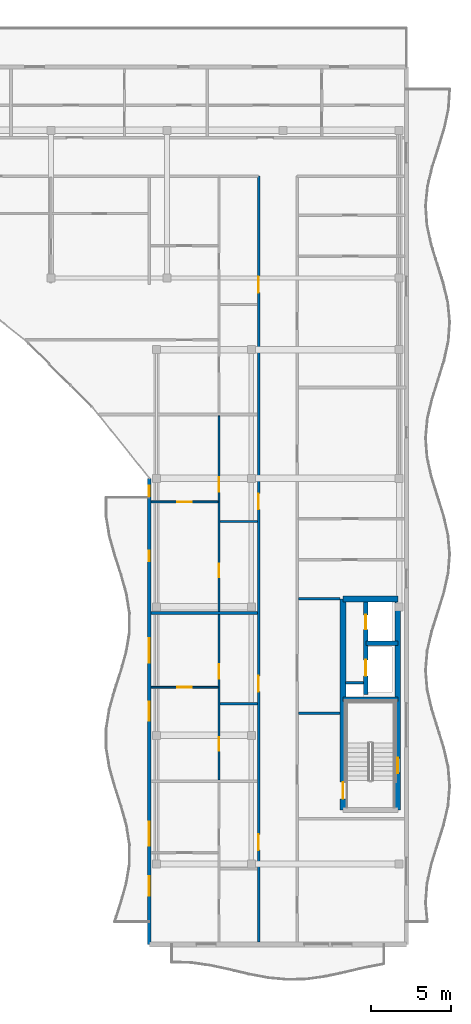
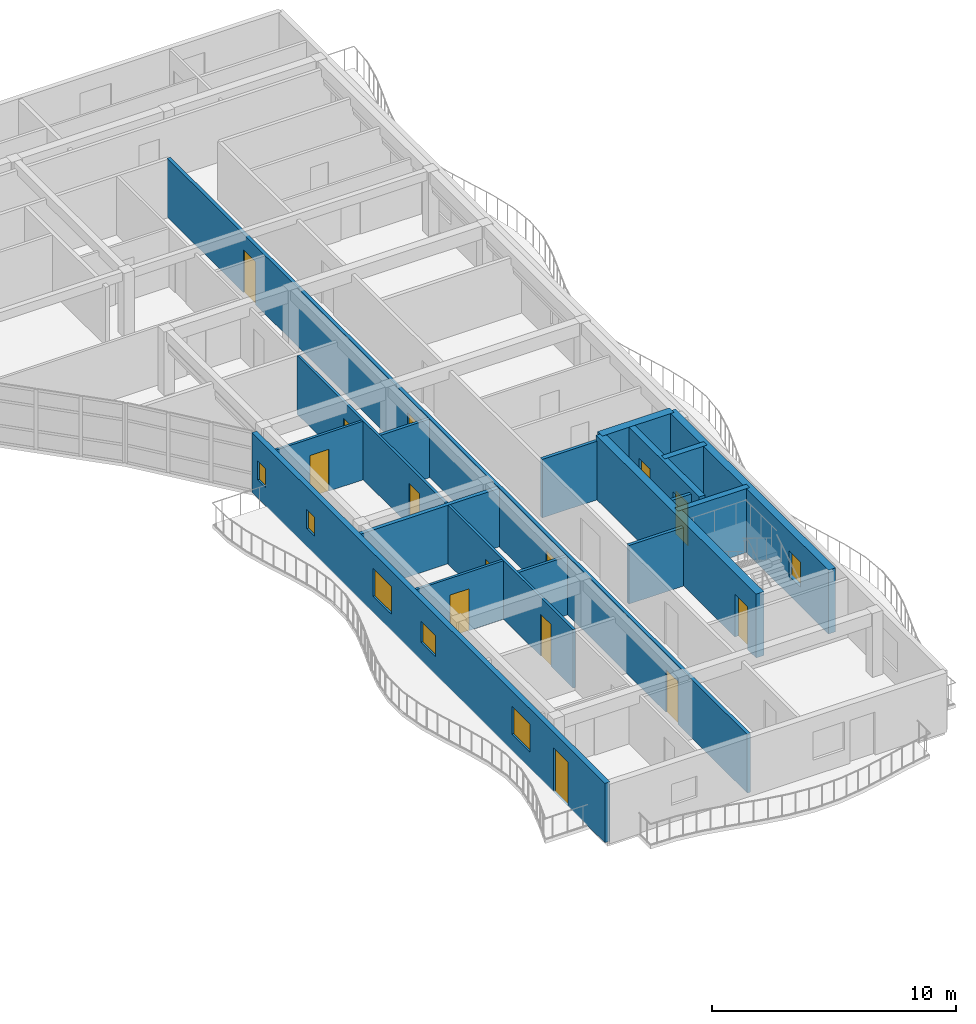
# One storey, part 26 of 39: 18 walls, 14 doors, 6 windows, 20 openings.
"""IFC4 building model written with IfcOpenShell, lengths in metres."""

import ifcopenshell
import ifcopenshell.guid

model = None  # the IFC model being written
_history = None  # IfcOwnerHistory: only IFC2X3 demands one
_inside = {}  # id of a spatial element -> (the spatial element, [elements in it])
_under = {}  # id of a project, library or spatial element -> (it, [spatial elements below it])
_declared = {}  # id of a project -> (the project, [libraries it declares])
_typed = {}  # id of a type object -> (the type object, [elements of that type])
_made_of = {}  # id of a material, layer set ... -> (it, [elements and type objects made of it])


def new_model(schema):
    """Start an empty IFC model of exactly this schema.

    Asked for "IFC4X3", IfcOpenShell would pick the latest addendum, in which some entities
    have other attributes; the version numbers below select the first issue.
    IFC2X3 requires an IfcOwnerHistory on every rooted entity: one is made here for all.
    """
    global model, _history
    if schema == "IFC4X3":
        model = ifcopenshell.file(schema_version=(4, 3, 0, 0))
    else:
        model = ifcopenshell.file(schema=schema)
    _inside.clear()
    _under.clear()
    _declared.clear()
    _typed.clear()
    _made_of.clear()
    _history = None
    if model.schema == "IFC2X3":
        org = make("IfcOrganization", Name="unknown")
        user = make(
            "IfcPersonAndOrganization",
            ThePerson=make("IfcPerson", FamilyName="unknown"),
            TheOrganization=org,
        )
        app = make(
            "IfcApplication",
            ApplicationDeveloper=org,
            Version="unknown",
            ApplicationFullName="unknown",
            ApplicationIdentifier="unknown",
        )
        _history = make(
            "IfcOwnerHistory",
            OwningUser=user,
            OwningApplication=app,
            ChangeAction="ADDED",
            CreationDate=0,
        )
    return model


def make(cls, **values):
    """One entity of the class cls with the attributes given. An attribute that is None is left unset."""
    return model.create_entity(
        cls, **{name: value for name, value in values.items() if value is not None}
    )


def rooted(cls, **values):
    """An entity with a GlobalId (a new one), such as an element, a storey or a relation."""
    return make(cls, GlobalId=ifcopenshell.guid.new(), OwnerHistory=_history, **values)


def si_unit(unit_type, name, prefix=None):
    """IfcSIUnit, for example si_unit("LENGTHUNIT", "METRE", prefix="MILLI")."""
    return make("IfcSIUnit", UnitType=unit_type, Prefix=prefix, Name=name)


def assignment(units):
    """IfcUnitAssignment: the units of a project."""
    return None if units is None else make("IfcUnitAssignment", Units=units)


def point(xyz):
    """IfcCartesianPoint."""
    return None if xyz is None else make("IfcCartesianPoint", Coordinates=xyz)


def direction(xyz):
    """IfcDirection."""
    return None if xyz is None else make("IfcDirection", DirectionRatios=xyz)


def frame(location, z_axis=None, x_axis=None):
    """IfcAxis2Placement3D, a coordinate frame: its origin and axes. An axis left out is left unset."""
    return make(
        "IfcAxis2Placement3D",
        Location=point(location),
        Axis=direction(z_axis),
        RefDirection=direction(x_axis),
    )


def frame_2d(location, x_axis=None):
    """IfcAxis2Placement2D, a coordinate frame in the plane: its origin and x axis."""
    return make(
        "IfcAxis2Placement2D", Location=point(location), RefDirection=direction(x_axis)
    )


def origin():
    """The frame at (0, 0, 0) with its axes left unset."""
    return frame((0.0, 0.0, 0.0))


def place(relative_to, where):
    """IfcLocalPlacement: puts the frame where relative to a parent placement (None: the world)."""
    return make(
        "IfcLocalPlacement", PlacementRelTo=relative_to, RelativePlacement=where
    )


def context(
    kind, dimensions, precision=None, world=None, true_north=None, identifier=None
):
    """IfcGeometricRepresentationContext, for example the 3D "Model" context."""
    return make(
        "IfcGeometricRepresentationContext",
        ContextIdentifier=identifier,
        ContextType=kind,
        CoordinateSpaceDimension=dimensions,
        Precision=precision,
        WorldCoordinateSystem=world,
        TrueNorth=true_north,
    )


def subcontext(parent, identifier, kind, view, scale=None):
    """IfcGeometricRepresentationSubContext, for example "Body" below "Model"."""
    return make(
        "IfcGeometricRepresentationSubContext",
        ContextIdentifier=identifier,
        ContextType=kind,
        ParentContext=parent,
        TargetScale=scale,
        TargetView=view,
    )


def project(units=None, contexts=None):
    """IfcProject with its units and contexts."""
    return rooted(
        "IfcProject",
        Name="project",
        RepresentationContexts=contexts,
        UnitsInContext=assignment(units),
    )


def spatial(cls, under=None, at=None, **own):
    """A site, building, storey or space (cls), placed at a placement, below another one or the project."""
    s = rooted(cls, ObjectPlacement=at, **own)
    if under is not None:
        _under.setdefault(under.id(), (under, []))[1].append(s)
    return s


def profile(cls, at=None, kind="AREA", **sizes):
    """A parametric profile (cls). Its sizes go by their IFC names, for example OverallWidth=200.0."""
    return make(cls, ProfileType=kind, Position=at, **sizes)


def rectangle(**sizes):
    """IfcRectangleProfileDef."""
    return profile("IfcRectangleProfileDef", **sizes)


def extrude(swept, where, along, depth):
    """IfcExtrudedAreaSolid: the profile swept, set in the frame where, extruded along a direction by depth."""
    return make(
        "IfcExtrudedAreaSolid",
        SweptArea=swept,
        Position=where,
        ExtrudedDirection=direction(along),
        Depth=depth,
    )


def shape(context_of_items, identifier, shape_type, items):
    """IfcShapeRepresentation: the items that make up one representation, for example the "Body"."""
    return make(
        "IfcShapeRepresentation",
        ContextOfItems=context_of_items,
        RepresentationIdentifier=identifier,
        RepresentationType=shape_type,
        Items=items,
    )


def material(Name=None, Category=None):
    """IfcMaterial."""
    return make("IfcMaterial", Name=Name, Category=Category)


def layer(
    of_material, thickness, ventilated=None, Name=None, Category=None, Priority=None
):
    """IfcMaterialLayer: one layer of a wall or slab, of a material (None: an air gap)."""
    return make(
        "IfcMaterialLayer",
        Material=of_material,
        LayerThickness=thickness,
        IsVentilated=ventilated,
        Name=Name,
        Category=Category,
        Priority=Priority,
    )


def layer_set(layers, Name=None):
    """IfcMaterialLayerSet."""
    return make("IfcMaterialLayerSet", MaterialLayers=layers, LayerSetName=Name)


def made_of(thing, what):
    """Note that an element or type object is made of a material, layer set ...; save() writes the relation."""
    if what is not None:
        _made_of.setdefault(what.id(), (what, []))[1].append(thing)
    return thing


def type_object(cls, material=None, **own):
    """A type object (cls), such as IfcWallType, which elements share."""
    return made_of(rooted(cls, **own), material)


def element(
    cls,
    number,
    at=None,
    inside=None,
    cuts=None,
    type_object=None,
    material=None,
    context=None,
    identifier="Body",
    shape_type=None,
    held_by="IfcProductDefinitionShape",
    body=None,
    shapes=None,
    **own,
):
    """One element of the class cls, such as IfcWall. Its Tag is "e" and its number.

    at: its placement. inside: the storey or other place that contains it. cuts: it is an
    opening in that element (IfcRelVoidsElement). A single representation is given by context,
    identifier, shape_type and body (its items); several are given by shapes. held_by: the class
    of the entity that holds the representations. save() writes the other relations.
    """
    e = rooted(cls, Tag="e%d" % number, ObjectPlacement=at, **own)
    if body is not None:
        shapes = [shape(context, identifier, shape_type, body)]
    if shapes is not None:
        e.Representation = make(held_by, Representations=shapes)
    if inside is not None:
        _inside.setdefault(inside.id(), (inside, []))[1].append(e)
    if cuts is not None:
        rooted(
            "IfcRelVoidsElement", RelatingBuildingElement=cuts, RelatedOpeningElement=e
        )
    if type_object is not None:
        _typed.setdefault(type_object.id(), (type_object, []))[1].append(e)
    return made_of(e, material)


def fill(opening, filler):
    """IfcRelFillsElement: the door or window that sits in an opening."""
    return rooted(
        "IfcRelFillsElement",
        RelatingOpeningElement=opening,
        RelatedBuildingElement=filler,
    )


def aggregate(whole, parts):
    """IfcRelAggregates: a whole, such as a stair, and the parts it consists of."""
    return rooted("IfcRelAggregates", RelatingObject=whole, RelatedObjects=parts)


def save(model, path):
    """Write the relations noted so far, then the file.

    IfcRelAggregates (storeys below a building ...), IfcRelContainedInSpatialStructure (elements
    in a storey), IfcRelDefinesByType, IfcRelAssociatesMaterial and IfcRelDeclares: one each for
    every whole, place, type object, material and project.
    """
    for whole, parts in _under.values():
        aggregate(whole, parts)
    for where, things in _inside.values():
        rooted(
            "IfcRelContainedInSpatialStructure",
            RelatedElements=things,
            RelatingStructure=where,
        )
    for kind, things in _typed.values():
        rooted("IfcRelDefinesByType", RelatedObjects=things, RelatingType=kind)
    for what, things in _made_of.values():
        rooted("IfcRelAssociatesMaterial", RelatedObjects=things, RelatingMaterial=what)
    for by, libraries in _declared.values():
        rooted("IfcRelDeclares", RelatingContext=by, RelatedDefinitions=libraries)
    model.write(path)


model = new_model("IFC4")

# Units and contexts
model_context = context("Model", 3, precision=1e-05, world=origin(), true_north=direction((0.0, 1.0)))
body_context = subcontext(model_context, "Body", "Model", "MODEL_VIEW")
ifc_project = project(units=[si_unit("LENGTHUNIT", "METRE"), si_unit("AREAUNIT", "SQUARE_METRE"), si_unit("VOLUMEUNIT", "CUBIC_METRE"), si_unit("PLANEANGLEUNIT", "RADIAN"), si_unit("MASSUNIT", "GRAM", prefix="KILO")], contexts=[model_context])

# Site, building, storey
site_placement = place(None, origin())
site = spatial("IfcSite", under=ifc_project, at=site_placement, CompositionType="ELEMENT")
building_placement = place(site_placement, origin())
building = spatial("IfcBuilding", under=site, at=building_placement, Name="Keldmere Railside Commons", CompositionType="ELEMENT")
storey_placement = place(building_placement, frame((0.0, 0.0, 32.9599609375)))
storey = spatial("IfcBuildingStorey", under=building, at=storey_placement, Name="L10", CompositionType="ELEMENT", Elevation=32.9599609375)

# Wall
ifc_material_1 = material(Name="Acoustic Gypsum Board Partition", Category="gypsum")
ifc_layer_1 = layer(ifc_material_1, 0.179931640625, Name="Acoustic Demising Partition 180")
ifc_layer_set_1 = layer_set([ifc_layer_1], Name="Acoustic Gypsum Board Partition")
wall_type_1 = type_object("IfcWallType", Name="Acoustic Demising Partition 180", PredefinedType="PARTITIONING", material=ifc_layer_set_1)
wall_1_placement = place(storey_placement, frame((168.1201171875, 79.610107421875, 0.0), z_axis=(0.0, 0.0, 1.0), x_axis=(1.0, 0.0, 0.0)))
element("IfcWall", 1, at=wall_1_placement, inside=storey, type_object=wall_type_1, Name="IW-1 IW-L10-1816", PredefinedType="PARTITIONING", context=body_context, shape_type="SweptSolid", body=[
    extrude(rectangle(XDim=6.599853515625, YDim=0.179931640625, at=frame_2d((3.2998046875, 0.0))), origin(), (0.0, 0.0, 1.0), 2.93505859375),
])

# Wall, openings, doors
ifc_layer_2 = layer(ifc_material_1, 0.1201171875, Name="Apartment Interior Partition 120")
ifc_layer_set_2 = layer_set([ifc_layer_2], Name="Acoustic Gypsum Board Partition")
wall_type_2 = type_object("IfcWallType", Name="Apartment Interior Partition 120", PredefinedType="PARTITIONING", material=ifc_layer_set_2)
wall_2_placement = place(storey_placement, frame((172.340087890625, 69.239990234375, 0.0), z_axis=(0.0, 0.0, 1.0), x_axis=(0.0, 1.0, 0.0)))
wall_2 = element("IfcWall", 2, at=wall_2_placement, inside=storey, type_object=wall_type_2, Name="IW-4 IW-L10-1821", PredefinedType="PARTITIONING", context=body_context, shape_type="SweptSolid", body=[
    extrude(rectangle(XDim=10.280029296875, YDim=0.1201171875, at=frame_2d((5.14013671875, 0.0))), origin(), (0.0, 0.0, 1.0), 2.93505859375),
])
opening_1_placement = place(wall_2_placement, frame((1.79736328125, 0.0, 0.0)))
opening_1 = element("IfcOpeningElement", 3, at=opening_1_placement, cuts=wall_2, Name="Opening ID-04", PredefinedType="OPENING", context=body_context, shape_type="SweptSolid", body=[
    extrude(rectangle(XDim=0.860107421875, YDim=2.10009765625, at=frame_2d((0.43017578125, 1.050048828125))), frame((0.0, 0.070068359375, 0.0), z_axis=(0.0, -1.0, 0.0), x_axis=(1.0, 0.0, 0.0)), (0.0, 0.0, 1.0), 0.14013671875),
])
opening_2_placement = place(wall_2_placement, frame((6.283935546875, 0.0, 0.0)))
opening_2 = element("IfcOpeningElement", 4, at=opening_2_placement, cuts=wall_2, Name="Opening ID-03", PredefinedType="OPENING", context=body_context, shape_type="SweptSolid", body=[
    extrude(rectangle(XDim=0.919921875, YDim=2.10009765625, at=frame_2d((0.4599609375, 1.050048828125))), frame((0.0, 0.070068359375, 0.0), z_axis=(0.0, -1.0, 0.0), x_axis=(1.0, 0.0, 0.0)), (0.0, 0.0, 1.0), 0.14013671875),
])
ifc_material_2 = material(Name="Engineered Oak Timber", Category="wood")
door_type_1 = type_object("IfcDoorType", Name="Apartment Bathroom Door 860x2100", OperationType="NOTDEFINED", PredefinedType="DOOR", material=ifc_material_2)
door_1_placement = place(opening_1_placement, origin())
door_1 = element("IfcDoor", 5, at=door_1_placement, inside=storey, type_object=door_type_1, Name="ID-04 IDR-L10-1660", OperationType="SINGLE_SWING_RIGHT", OverallHeight=2.10009765625, OverallWidth=0.860107421875, PredefinedType="DOOR", context=body_context, shape_type="SweptSolid", body=[
    extrude(rectangle(XDim=0.860107421875, YDim=2.10009765625, at=frame_2d((0.43017578125, 1.050048828125))), frame((0.0, 0.02490234375, 0.0), z_axis=(0.0, -1.0, 0.0), x_axis=(1.0, 0.0, 0.0)), (0.0, 0.0, 1.0), 0.050048828125),
])
fill(opening_1, door_1)
door_type_2 = type_object("IfcDoorType", Name="Kitchen Pocket-Frame Swing Door 920x2100", OperationType="NOTDEFINED", PredefinedType="DOOR", material=ifc_material_2)
door_2_placement = place(opening_2_placement, origin())
door_2 = element("IfcDoor", 6, at=door_2_placement, inside=storey, type_object=door_type_2, Name="ID-03 IDR-L10-1661", OperationType="SINGLE_SWING_LEFT", OverallHeight=2.10009765625, OverallWidth=0.919921875, PredefinedType="DOOR", context=body_context, shape_type="SweptSolid", body=[
    extrude(rectangle(XDim=0.919921875, YDim=2.10009765625, at=frame_2d((0.4599609375, 1.050048828125))), frame((0.0, 0.02490234375, 0.0), z_axis=(0.0, -1.0, 0.0), x_axis=(1.0, 0.0, 0.0)), (0.0, 0.0, 1.0), 0.050048828125),
])
fill(opening_2, door_2)

# Wall, opening, door
wall_3_placement = place(storey_placement, frame((168.1201171875, 75.0, 0.0), z_axis=(0.0, 0.0, 1.0), x_axis=(1.0, 0.0, 0.0)))
wall_3 = element("IfcWall", 7, at=wall_3_placement, inside=storey, type_object=wall_type_2, Name="IW-4 IW-L10-1823", PredefinedType="PARTITIONING", context=body_context, shape_type="SweptSolid", body=[
    extrude(rectangle(XDim=4.159912109375, YDim=0.1201171875, at=frame_2d((2.080078125, 0.0))), origin(), (0.0, 0.0, 1.0), 2.93505859375),
])
opening_3_placement = place(wall_3_placement, frame((1.6298828125, 0.0, 0.0)))
opening_3 = element("IfcOpeningElement", 8, at=opening_3_placement, cuts=wall_3, Name="Opening ID-01", PredefinedType="OPENING", context=body_context, shape_type="SweptSolid", body=[
    extrude(rectangle(XDim=0.89990234375, YDim=2.10009765625, at=frame_2d((0.449951171875, 1.050048828125))), frame((0.0, 0.070068359375, 0.0), z_axis=(0.0, -1.0, 0.0), x_axis=(1.0, 0.0, 0.0)), (0.0, 0.0, 1.0), 0.14013671875),
])
door_type_3 = type_object("IfcDoorType", Name="Primary Bedroom Door 900x2100", OperationType="NOTDEFINED", PredefinedType="DOOR", material=ifc_material_2)
door_3_placement = place(opening_3_placement, origin())
door_3 = element("IfcDoor", 9, at=door_3_placement, inside=storey, type_object=door_type_3, Name="ID-01 IDR-L10-1663", OperationType="SINGLE_SWING_LEFT", OverallHeight=2.10009765625, OverallWidth=0.89990234375, PredefinedType="DOOR", context=body_context, shape_type="SweptSolid", body=[
    extrude(rectangle(XDim=0.89990234375, YDim=2.10009765625, at=frame_2d((0.449951171875, 1.050048828125))), frame((0.0, 0.02490234375, 0.0), z_axis=(0.0, -1.0, 0.0), x_axis=(1.0, 0.0, 0.0)), (0.0, 0.0, 1.0), 0.050048828125),
])
fill(opening_3, door_3)

# Wall, openings, doors
wall_4_placement = place(storey_placement, frame((172.340087890625, 79.699951171875, 0.0), z_axis=(0.0, 0.0, 1.0), x_axis=(0.0, 1.0, 0.0)))
wall_4 = element("IfcWall", 10, at=wall_4_placement, inside=storey, type_object=wall_type_2, Name="IW-4 IW-L10-1824", PredefinedType="PARTITIONING", context=body_context, shape_type="SweptSolid", body=[
    extrude(rectangle(XDim=12.18994140625, YDim=0.1201171875, at=frame_2d((6.094970703125, 0.0))), origin(), (0.0, 0.0, 1.0), 2.93505859375),
])
opening_4_placement = place(wall_4_placement, frame((2.1318359375, 0.0, 0.0)))
opening_4 = element("IfcOpeningElement", 11, at=opening_4_placement, cuts=wall_4, Name="Opening ID-04", PredefinedType="OPENING", context=body_context, shape_type="SweptSolid", body=[
    extrude(rectangle(XDim=0.860107421875, YDim=2.10009765625, at=frame_2d((0.43017578125, 1.050048828125))), frame((0.0, 0.070068359375, 0.0), z_axis=(0.0, -1.0, 0.0), x_axis=(1.0, 0.0, 0.0)), (0.0, 0.0, 1.0), 0.14013671875),
])
opening_5_placement = place(wall_4_placement, frame((7.452392578125, 0.0, 0.0)))
opening_5 = element("IfcOpeningElement", 12, at=opening_5_placement, cuts=wall_4, Name="Opening ID-03", PredefinedType="OPENING", context=body_context, shape_type="SweptSolid", body=[
    extrude(rectangle(XDim=0.919921875, YDim=2.10009765625, at=frame_2d((0.4599609375, 1.050048828125))), frame((0.0, 0.070068359375, 0.0), z_axis=(0.0, -1.0, 0.0), x_axis=(1.0, 0.0, 0.0)), (0.0, 0.0, 1.0), 0.14013671875),
])
door_4_placement = place(opening_4_placement, origin())
door_4 = element("IfcDoor", 13, at=door_4_placement, inside=storey, type_object=door_type_1, Name="ID-04 IDR-L10-1664", OperationType="SINGLE_SWING_RIGHT", OverallHeight=2.10009765625, OverallWidth=0.860107421875, PredefinedType="DOOR", context=body_context, shape_type="SweptSolid", body=[
    extrude(rectangle(XDim=0.860107421875, YDim=2.10009765625, at=frame_2d((0.43017578125, 1.050048828125))), frame((0.0, 0.02490234375, 0.0), z_axis=(0.0, -1.0, 0.0), x_axis=(1.0, 0.0, 0.0)), (0.0, 0.0, 1.0), 0.050048828125),
])
fill(opening_4, door_4)
door_5_placement = place(opening_5_placement, origin())
door_5 = element("IfcDoor", 14, at=door_5_placement, inside=storey, type_object=door_type_2, Name="ID-03 IDR-L10-1665", OperationType="SINGLE_SWING_LEFT", OverallHeight=2.10009765625, OverallWidth=0.919921875, PredefinedType="DOOR", context=body_context, shape_type="SweptSolid", body=[
    extrude(rectangle(XDim=0.919921875, YDim=2.10009765625, at=frame_2d((0.4599609375, 1.050048828125))), frame((0.0, 0.02490234375, 0.0), z_axis=(0.0, -1.0, 0.0), x_axis=(1.0, 0.0, 0.0)), (0.0, 0.0, 1.0), 0.050048828125),
])
fill(opening_5, door_5)

# Wall, opening, door
wall_5_placement = place(storey_placement, frame((168.1201171875, 86.530029296875, 0.0), z_axis=(0.0, 0.0, 1.0), x_axis=(1.0, 0.0, 0.0)))
wall_5 = element("IfcWall", 15, at=wall_5_placement, inside=storey, type_object=wall_type_2, Name="IW-4 IW-L10-1826", PredefinedType="PARTITIONING", context=body_context, shape_type="SweptSolid", body=[
    extrude(rectangle(XDim=4.159912109375, YDim=0.1201171875, at=frame_2d((2.080078125, 0.0))), origin(), (0.0, 0.0, 1.0), 2.93505859375),
])
opening_6_placement = place(wall_5_placement, frame((1.6298828125, 0.0, 0.0)))
opening_6 = element("IfcOpeningElement", 16, at=opening_6_placement, cuts=wall_5, Name="Opening ID-01", PredefinedType="OPENING", context=body_context, shape_type="SweptSolid", body=[
    extrude(rectangle(XDim=0.89990234375, YDim=2.10009765625, at=frame_2d((0.449951171875, 1.050048828125))), frame((0.0, 0.070068359375, 0.0), z_axis=(0.0, -1.0, 0.0), x_axis=(1.0, 0.0, 0.0)), (0.0, 0.0, 1.0), 0.14013671875),
])
door_6_placement = place(opening_6_placement, origin())
door_6 = element("IfcDoor", 17, at=door_6_placement, inside=storey, type_object=door_type_3, Name="ID-01 IDR-L10-1667", OperationType="SINGLE_SWING_LEFT", OverallHeight=2.10009765625, OverallWidth=0.89990234375, PredefinedType="DOOR", context=body_context, shape_type="SweptSolid", body=[
    extrude(rectangle(XDim=0.89990234375, YDim=2.10009765625, at=frame_2d((0.449951171875, 1.050048828125))), frame((0.0, 0.02490234375, 0.0), z_axis=(0.0, -1.0, 0.0), x_axis=(1.0, 0.0, 0.0)), (0.0, 0.0, 1.0), 0.050048828125),
])
fill(opening_6, door_6)

# Walls
ifc_material_3 = material(Name="Concrete H-35 (C35/45)", Category="concrete")
ifc_layer_3 = layer(ifc_material_3, 0.280029296875, Name="Core Shear Wall 280")
ifc_layer_set_3 = layer_set([ifc_layer_3], Name="Concrete H-35 (C35/45)")
wall_type_3 = type_object("IfcWallType", Name="Core Shear Wall 280", PredefinedType="SHEAR", material=ifc_layer_set_3)
wall_6_placement = place(storey_placement, frame((180.06005859375, 74.239990234375, 0.0), z_axis=(0.0, 0.0, 1.0), x_axis=(1.0, 0.0, 0.0)))
element("IfcWall", 18, at=wall_6_placement, inside=storey, type_object=wall_type_3, Name="CSW-2 COREAM-L10-0832", PredefinedType="SHEAR", context=body_context, shape_type="SweptSolid", body=[
    extrude(rectangle(XDim=3.409912109375, YDim=0.280029296875, at=frame_2d((1.705078125, 0.0))), origin(), (0.0, 0.0, 1.0), 3.199951171875),
])
wall_7_placement = place(storey_placement, frame((181.469970703125, 77.75, 0.0), z_axis=(0.0, 0.0, 1.0), x_axis=(1.0, 0.0, 0.0)))
element("IfcWall", 19, at=wall_7_placement, inside=storey, type_object=wall_type_3, Name="CSW-2 COREAL-L10-0833", PredefinedType="SHEAR", context=body_context, shape_type="SweptSolid", body=[
    extrude(rectangle(XDim=2.0, YDim=0.280029296875, at=frame_2d((1.0, 0.0))), origin(), (0.0, 0.0, 1.0), 3.199951171875),
])

# Wall, openings, doors
wall_8_placement = place(storey_placement, frame((181.469970703125, 74.550048828125, 0.0), z_axis=(0.0, 0.0, 1.0), x_axis=(0.0, 1.0, 0.0)))
wall_8 = element("IfcWall", 20, at=wall_8_placement, inside=storey, type_object=wall_type_3, Name="CSW-2 LSHA-L10-0834", PredefinedType="SHEAR", context=body_context, shape_type="SweptSolid", body=[
    extrude(rectangle(XDim=5.949951171875, YDim=0.280029296875, at=frame_2d((2.97509765625, 0.0))), origin(), (0.0, 0.0, 1.0), 3.199951171875),
])
opening_7_placement = place(wall_8_placement, frame((1.14990234375, 0.0, 0.0)))
opening_7 = element("IfcOpeningElement", 21, at=opening_7_placement, cuts=wall_8, Name="Opening LD-1", PredefinedType="OPENING", context=body_context, shape_type="SweptSolid", body=[
    extrude(rectangle(XDim=1.0, YDim=2.14990234375, at=frame_2d((0.5, 1.074951171875))), frame((0.0, 0.14990234375, 0.0), z_axis=(0.0, -1.0, 0.0), x_axis=(1.0, 0.0, 0.0)), (0.0, 0.0, 1.0), 0.300048828125),
])
opening_8_placement = place(wall_8_placement, frame((4.050048828125, 0.0, 0.0)))
opening_8 = element("IfcOpeningElement", 22, at=opening_8_placement, cuts=wall_8, Name="Opening LD-2", PredefinedType="OPENING", context=body_context, shape_type="SweptSolid", body=[
    extrude(rectangle(XDim=0.89990234375, YDim=2.14990234375, at=frame_2d((0.449951171875, 1.074951171875))), frame((0.0, 0.14990234375, 0.0), z_axis=(0.0, -1.0, 0.0), x_axis=(1.0, 0.0, 0.0)), (0.0, 0.0, 1.0), 0.300048828125),
])
ifc_material_4 = material(Name="Steel F-24 (S235)", Category="steel")
door_type_4 = type_object("IfcDoorType", Name="Firefighting Stretcher Lift Landing Door 1000x2150", OperationType="SLIDING_TO_LEFT", PredefinedType="DOOR", material=ifc_material_4)
door_7_placement = place(opening_7_placement, origin())
door_7 = element("IfcDoor", 23, at=door_7_placement, inside=storey, type_object=door_type_4, Name="LD-1 A L10", OperationType="SLIDING_TO_LEFT", OverallHeight=2.14990234375, OverallWidth=1.0, PredefinedType="DOOR", context=body_context, shape_type="SweptSolid", body=[
    extrude(rectangle(XDim=1.0, YDim=2.14990234375, at=frame_2d((0.5, 1.074951171875))), frame((0.0, 0.02490234375, 0.0), z_axis=(0.0, -1.0, 0.0), x_axis=(1.0, 0.0, 0.0)), (0.0, 0.0, 1.0), 0.050048828125),
])
fill(opening_7, door_7)
door_type_5 = type_object("IfcDoorType", Name="Passenger Lift Sliding Landing Door 900x2150", OperationType="SLIDING_TO_RIGHT", PredefinedType="DOOR", material=ifc_material_4)
door_8_placement = place(opening_8_placement, origin())
door_8 = element("IfcDoor", 24, at=door_8_placement, inside=storey, type_object=door_type_5, Name="LD-2 A L10", OperationType="SLIDING_TO_RIGHT", OverallHeight=2.14990234375, OverallWidth=0.89990234375, PredefinedType="DOOR", context=body_context, shape_type="SweptSolid", body=[
    extrude(rectangle(XDim=0.89990234375, YDim=2.14990234375, at=frame_2d((0.449951171875, 1.074951171875))), frame((0.0, 0.02490234375, 0.0), z_axis=(0.0, -1.0, 0.0), x_axis=(1.0, 0.0, 0.0)), (0.0, 0.0, 1.0), 0.050048828125),
])
fill(opening_8, door_8)

# Wall, opening, door
ifc_material_5 = material(Name="Concrete H-40 (C40/50)", Category="concrete")
ifc_layer_4 = layer(ifc_material_5, 0.3798828125, Name="Core Shear Wall 380")
ifc_layer_set_4 = layer_set([ifc_layer_4], Name="Concrete H-40 (C40/50)")
wall_type_4 = type_object("IfcWallType", Name="Core Shear Wall 380", PredefinedType="SHEAR", material=ifc_layer_set_4)
wall_9_placement = place(storey_placement, frame((180.06005859375, 67.35009765625, 0.0), z_axis=(0.0, 0.0, 1.0), x_axis=(0.0, 1.0, 0.0)))
wall_9 = element("IfcWall", 25, at=wall_9_placement, inside=storey, type_object=wall_type_4, Name="CW-CORE COREAW-L10-0828", PredefinedType="SHEAR", context=body_context, shape_type="SweptSolid", body=[
    extrude(rectangle(XDim=13.14990234375, YDim=0.3798828125, at=frame_2d((6.574951171875, 0.0))), origin(), (0.0, 0.0, 1.0), 3.199951171875),
])
opening_9_placement = place(wall_9_placement, frame((0.699951171875, 0.0, 0.0)))
opening_9 = element("IfcOpeningElement", 26, at=opening_9_placement, cuts=wall_9, Name="Opening FD-1", PredefinedType="OPENING", context=body_context, shape_type="SweptSolid", body=[
    extrude(rectangle(XDim=1.050048828125, YDim=2.14990234375, at=frame_2d((0.52490234375, 1.074951171875))), frame((0.0, 0.199951171875, 0.0), z_axis=(0.0, -1.0, 0.0), x_axis=(1.0, 0.0, 0.0)), (0.0, 0.0, 1.0), 0.39990234375),
])
door_type_6 = type_object("IfcDoorType", Name="Stair Core Fire Door 1050x2150", OperationType="NOTDEFINED", PredefinedType="DOOR", material=ifc_material_4)
door_9_placement = place(opening_9_placement, origin())
door_9 = element("IfcDoor", 27, at=door_9_placement, inside=storey, type_object=door_type_6, Name="FD-1 A1 L10", OperationType="SINGLE_SWING_LEFT", OverallHeight=2.14990234375, OverallWidth=1.050048828125, PredefinedType="DOOR", context=body_context, shape_type="SweptSolid", body=[
    extrude(rectangle(XDim=1.050048828125, YDim=2.14990234375, at=frame_2d((0.52490234375, 1.074951171875))), frame((0.0, 0.02490234375, 0.0), z_axis=(0.0, -1.0, 0.0), x_axis=(1.0, 0.0, 0.0)), (0.0, 0.0, 1.0), 0.050048828125),
])
fill(opening_9, door_9)

# Wall
wall_10_placement = place(storey_placement, frame((180.06005859375, 80.5, 0.0), z_axis=(0.0, 0.0, 1.0), x_axis=(1.0, 0.0, 0.0)))
element("IfcWall", 28, at=wall_10_placement, inside=storey, type_object=wall_type_4, Name="CW-CORE COREAN-L10-0829", PredefinedType="SHEAR", context=body_context, shape_type="SweptSolid", body=[
    extrude(rectangle(XDim=3.409912109375, YDim=0.3798828125, at=frame_2d((1.705078125, 0.0))), origin(), (0.0, 0.0, 1.0), 3.199951171875),
])

# Wall, openings, doors
ifc_layer_5 = layer(ifc_material_1, 0.159912109375, Name="Corridor Fire Partition 160")
ifc_layer_set_5 = layer_set([ifc_layer_5], Name="Acoustic Gypsum Board Partition")
wall_type_5 = type_object("IfcWallType", Name="Corridor Fire Partition 160", PredefinedType="PARTITIONING", material=ifc_layer_set_5)
wall_11_placement = place(storey_placement, frame((174.800048828125, 59.159912109375, 0.0), z_axis=(0.0, 0.0, 1.0), x_axis=(0.0, 1.0, 0.0)))
wall_11 = element("IfcWall", 29, at=wall_11_placement, inside=storey, type_object=wall_type_5, Name="IW-2 IW-L10-1807", PredefinedType="PARTITIONING", context=body_context, shape_type="SweptSolid", body=[
    extrude(rectangle(XDim=47.64013671875, YDim=0.159912109375, at=frame_2d((23.820068359375, 0.0))), origin(), (0.0, 0.0, 1.0), 2.93505859375),
])
opening_10_placement = place(wall_11_placement, frame((5.699951171875, 0.0, 0.0)))
opening_10 = element("IfcOpeningElement", 30, at=opening_10_placement, cuts=wall_11, Name="Opening FD-7", PredefinedType="OPENING", context=body_context, shape_type="SweptSolid", body=[
    extrude(rectangle(XDim=0.97998046875, YDim=2.14990234375, at=frame_2d((0.489990234375, 1.074951171875))), frame((0.0, 0.08984375, 0.0), z_axis=(0.0, -1.0, 0.0), x_axis=(1.0, 0.0, 0.0)), (0.0, 0.0, 1.0), 0.179931640625),
])
opening_11_placement = place(wall_11_placement, frame((15.56005859375, 0.0, 0.0)))
opening_11 = element("IfcOpeningElement", 31, at=opening_11_placement, cuts=wall_11, Name="Opening FD-7", PredefinedType="OPENING", context=body_context, shape_type="SweptSolid", body=[
    extrude(rectangle(XDim=0.97998046875, YDim=2.14990234375, at=frame_2d((0.489990234375, 1.074951171875))), frame((0.0, 0.08984375, 0.0), z_axis=(0.0, -1.0, 0.0), x_axis=(1.0, 0.0, 0.0)), (0.0, 0.0, 1.0), 0.179931640625),
])
opening_12_placement = place(wall_11_placement, frame((26.89990234375, 0.0, 0.0)))
opening_12 = element("IfcOpeningElement", 32, at=opening_12_placement, cuts=wall_11, Name="Opening FD-7", PredefinedType="OPENING", context=body_context, shape_type="SweptSolid", body=[
    extrude(rectangle(XDim=0.97998046875, YDim=2.14990234375, at=frame_2d((0.489990234375, 1.074951171875))), frame((0.0, 0.08984375, 0.0), z_axis=(0.0, -1.0, 0.0), x_axis=(1.0, 0.0, 0.0)), (0.0, 0.0, 1.0), 0.179931640625),
])
opening_13_placement = place(wall_11_placement, frame((40.39990234375, 0.0, 0.0)))
opening_13 = element("IfcOpeningElement", 33, at=opening_13_placement, cuts=wall_11, Name="Opening FD-7", PredefinedType="OPENING", context=body_context, shape_type="SweptSolid", body=[
    extrude(rectangle(XDim=0.97998046875, YDim=2.14990234375, at=frame_2d((0.489990234375, 1.074951171875))), frame((0.0, 0.08984375, 0.0), z_axis=(0.0, -1.0, 0.0), x_axis=(1.0, 0.0, 0.0)), (0.0, 0.0, 1.0), 0.179931640625),
])
door_type_7 = type_object("IfcDoorType", Name="Apartment Entrance Acoustic Fire Door 980x2150", OperationType="NOTDEFINED", PredefinedType="DOOR", material=ifc_material_2)
door_10_placement = place(opening_10_placement, origin())
door_10 = element("IfcDoor", 34, at=door_10_placement, inside=storey, type_object=door_type_7, Name="FD-7 IDR-L10-1658", OperationType="SINGLE_SWING_RIGHT", OverallHeight=2.14990234375, OverallWidth=0.97998046875, PredefinedType="DOOR", context=body_context, shape_type="SweptSolid", body=[
    extrude(rectangle(XDim=0.97998046875, YDim=2.14990234375, at=frame_2d((0.489990234375, 1.074951171875))), frame((0.0, 0.02490234375, 0.0), z_axis=(0.0, -1.0, 0.0), x_axis=(1.0, 0.0, 0.0)), (0.0, 0.0, 1.0), 0.050048828125),
])
fill(opening_10, door_10)
door_11_placement = place(opening_11_placement, origin())
door_11 = element("IfcDoor", 35, at=door_11_placement, inside=storey, type_object=door_type_7, Name="FD-7 IDR-L10-1662", OperationType="SINGLE_SWING_RIGHT", OverallHeight=2.14990234375, OverallWidth=0.97998046875, PredefinedType="DOOR", context=body_context, shape_type="SweptSolid", body=[
    extrude(rectangle(XDim=0.97998046875, YDim=2.14990234375, at=frame_2d((0.489990234375, 1.074951171875))), frame((0.0, 0.02490234375, 0.0), z_axis=(0.0, -1.0, 0.0), x_axis=(1.0, 0.0, 0.0)), (0.0, 0.0, 1.0), 0.050048828125),
])
fill(opening_11, door_11)
door_12_placement = place(opening_12_placement, origin())
door_12 = element("IfcDoor", 36, at=door_12_placement, inside=storey, type_object=door_type_7, Name="FD-7 IDR-L10-1666", OperationType="SINGLE_SWING_RIGHT", OverallHeight=2.14990234375, OverallWidth=0.97998046875, PredefinedType="DOOR", context=body_context, shape_type="SweptSolid", body=[
    extrude(rectangle(XDim=0.97998046875, YDim=2.14990234375, at=frame_2d((0.489990234375, 1.074951171875))), frame((0.0, 0.02490234375, 0.0), z_axis=(0.0, -1.0, 0.0), x_axis=(1.0, 0.0, 0.0)), (0.0, 0.0, 1.0), 0.050048828125),
])
fill(opening_12, door_12)
door_13_placement = place(opening_13_placement, origin())
door_13 = element("IfcDoor", 37, at=door_13_placement, inside=storey, type_object=door_type_7, Name="FD-7 IDR-L10-1670", OperationType="SINGLE_SWING_RIGHT", OverallHeight=2.14990234375, OverallWidth=0.97998046875, PredefinedType="DOOR", context=body_context, shape_type="SweptSolid", body=[
    extrude(rectangle(XDim=0.97998046875, YDim=2.14990234375, at=frame_2d((0.489990234375, 1.074951171875))), frame((0.0, 0.02490234375, 0.0), z_axis=(0.0, -1.0, 0.0), x_axis=(1.0, 0.0, 0.0)), (0.0, 0.0, 1.0), 0.050048828125),
])
fill(opening_13, door_13)

# Wall, opening, window
ifc_layer_6 = layer(ifc_material_3, 0.340087890625, Name="Interior Shear Wall 340")
ifc_layer_set_6 = layer_set([ifc_layer_6], Name="Concrete H-35 (C35/45)")
wall_type_6 = type_object("IfcWallType", Name="Interior Shear Wall 340", PredefinedType="SHEAR", material=ifc_layer_set_6)
wall_12_placement = place(storey_placement, frame((183.469970703125, 80.5, 0.0), z_axis=(0.0, 0.0, 1.0), x_axis=(0.0, -1.0, 0.0)))
wall_12 = element("IfcWall", 38, at=wall_12_placement, inside=storey, type_object=wall_type_6, Name="ISW-1 COREAE-L10-0830", PredefinedType="SHEAR", context=body_context, shape_type="SweptSolid", body=[
    extrude(rectangle(XDim=13.14990234375, YDim=0.340087890625, at=frame_2d((6.574951171875, 0.0))), origin(), (0.0, 0.0, 1.0), 3.199951171875),
])
opening_14_placement = place(wall_12_placement, frame((9.89990234375, 0.0, 0.969970703125)))
opening_14 = element("IfcOpeningElement", 39, at=opening_14_placement, cuts=wall_12, Name="Opening WN-17", PredefinedType="OPENING", context=body_context, shape_type="SweptSolid", body=[
    extrude(rectangle(XDim=0.949951171875, YDim=1.25, at=frame_2d((0.47509765625, 0.625))), frame((0.0, 0.179931640625, 0.0), z_axis=(0.0, -1.0, 0.0), x_axis=(1.0, 0.0, 0.0)), (0.0, 0.0, 1.0), 0.360107421875),
])
ifc_material_6 = material(Name="Low-E Insulated Double Glazing", Category="glass")
window_type_1 = type_object("IfcWindowType", Name="Stair Core Natural Smoke-Vent Window 950x1250", PartitioningType="SINGLE_PANEL", PredefinedType="WINDOW", material=ifc_material_6)
window_1_placement = place(opening_14_placement, origin())
window_1 = element("IfcWindow", 40, at=window_1_placement, inside=storey, type_object=window_type_1, Name="WN-17 WIN-L10-0566", OverallHeight=1.25, OverallWidth=0.949951171875, PartitioningType="SINGLE_PANEL", PredefinedType="WINDOW", context=body_context, shape_type="SweptSolid", body=[
    extrude(rectangle(XDim=0.949951171875, YDim=1.25, at=frame_2d((0.47509765625, 0.625))), frame((0.0, 0.030029296875, 0.0), z_axis=(0.0, -1.0, 0.0), x_axis=(1.0, 0.0, 0.0)), (0.0, 0.0, 1.0), 0.06005859375),
])
fill(opening_14, window_1)

# Walls
ifc_layer_7 = layer(ifc_material_1, 0.14990234375, Name="Lobby Rated Partition 150")
ifc_layer_set_7 = layer_set([ifc_layer_7], Name="Acoustic Gypsum Board Partition")
wall_type_7 = type_object("IfcWallType", Name="Lobby Rated Partition 150", PredefinedType="PARTITIONING", material=ifc_layer_set_7)
wall_13_placement = place(storey_placement, frame((180.199951171875, 75.280029296875, 0.0), z_axis=(0.0, 0.0, 1.0), x_axis=(1.0, 0.0, 0.0)))
element("IfcWall", 41, at=wall_13_placement, inside=storey, type_object=wall_type_7, Name="IW-3 RSRNA-L10-0835", PredefinedType="PARTITIONING", context=body_context, shape_type="SweptSolid", body=[
    extrude(rectangle(XDim=1.130126953125, YDim=0.14990234375, at=frame_2d((0.56494140625, 0.0))), origin(), (0.0, 0.0, 1.0), 2.949951171875),
])
for number, where, z_axis, x_axis, name in (
    (42, (177.280029296875, 73.3798828125, 0.0), (0.0, 0.0, 1.0), (1.0, 0.0, 0.0), "IW-3 IW-L10-1805"),
    (43, (177.280029296875, 80.5, 0.0), (0.0, 0.0, 1.0), (1.0, 0.0, 0.0), "IW-3 IW-L10-1806"),
):
    element("IfcWall", number, at=place(storey_placement, frame(where, z_axis=z_axis, x_axis=x_axis)), inside=storey, type_object=wall_type_7, Name=name, PredefinedType="PARTITIONING", context=body_context, shape_type="SweptSolid", body=[
        extrude(rectangle(XDim=2.590087890625, YDim=0.14990234375, at=frame_2d((1.294921875, 0.0))), origin(), (0.0, 0.0, 1.0), 2.93505859375),
    ])

# Wall, openings, windows, door
ifc_material_7 = material(Name="Architectural Precast Concrete H-35 (C35/45)", Category="concrete")
ifc_layer_8 = layer(ifc_material_7, 0.239990234375, Name="Sand-Ochre Precast Cavity Wall 240")
ifc_layer_set_8 = layer_set([ifc_layer_8], Name="Architectural Precast Concrete H-35 (C35/45)")
wall_type_8 = type_object("IfcWallType", Name="Sand-Ochre Precast Cavity Wall 240", PredefinedType="SOLIDWALL", material=ifc_layer_set_8)
wall_14_placement = place(storey_placement, frame((168.0, 59.0, 0.0), z_axis=(0.0, 0.0, 1.0), x_axis=(0.0, 1.0, 0.0)))
wall_14 = element("IfcWall", 44, at=wall_14_placement, inside=storey, type_object=wall_type_8, Name="EW-2 EXTA-L10-0950", PredefinedType="SOLIDWALL", context=body_context, shape_type="SweptSolid", body=[
    extrude(rectangle(XDim=29.0, YDim=0.239990234375, at=frame_2d((14.5, 0.0))), origin(), (0.0, 0.0, 1.0), 2.97998046875),
])
opening_15_placement = place(wall_14_placement, frame((3.033203125, 0.0, 0.0)))
opening_15 = element("IfcOpeningElement", 45, at=opening_15_placement, cuts=wall_14, Name="Opening BD-01", PredefinedType="OPENING", context=body_context, shape_type="SweptSolid", body=[
    extrude(rectangle(XDim=1.199951171875, YDim=2.199951171875, at=frame_2d((0.60009765625, 1.10009765625))), frame((0.0, 0.1298828125, 0.0), z_axis=(0.0, -1.0, 0.0), x_axis=(1.0, 0.0, 0.0)), (0.0, 0.0, 1.0), 0.260009765625),
])
opening_16_placement = place(wall_14_placement, frame((6.13330078125, 0.0, 0.820068359375)))
opening_16 = element("IfcOpeningElement", 46, at=opening_16_placement, cuts=wall_14, Name="Opening WN-06", PredefinedType="OPENING", context=body_context, shape_type="SweptSolid", body=[
    extrude(rectangle(XDim=1.5, YDim=1.39990234375, at=frame_2d((0.75, 0.699951171875))), frame((0.0, 0.1298828125, 0.0), z_axis=(0.0, -1.0, 0.0), x_axis=(1.0, 0.0, 0.0)), (0.0, 0.0, 1.0), 0.260009765625),
])
opening_17_placement = place(wall_14_placement, frame((13.89990234375, 0.0, 0.89990234375)))
opening_17 = element("IfcOpeningElement", 47, at=opening_17_placement, cuts=wall_14, Name="Opening WN-14", PredefinedType="OPENING", context=body_context, shape_type="SweptSolid", body=[
    extrude(rectangle(XDim=1.199951171875, YDim=1.050048828125, at=frame_2d((0.60009765625, 0.52490234375))), frame((0.0, 0.1298828125, 0.0), z_axis=(0.0, -1.0, 0.0), x_axis=(1.0, 0.0, 0.0)), (0.0, 0.0, 1.0), 0.260009765625),
])
opening_18_placement = place(wall_14_placement, frame((23.841796875, 0.0, 0.89990234375)))
opening_18 = element("IfcOpeningElement", 48, at=opening_18_placement, cuts=wall_14, Name="Opening WN-15", PredefinedType="OPENING", context=body_context, shape_type="SweptSolid", body=[
    extrude(rectangle(XDim=0.64990234375, YDim=0.949951171875, at=frame_2d((0.324951171875, 0.47509765625))), frame((0.0, 0.1298828125, 0.0), z_axis=(0.0, -1.0, 0.0), x_axis=(1.0, 0.0, 0.0)), (0.0, 0.0, 1.0), 0.260009765625),
])
opening_19_placement = place(wall_14_placement, frame((17.534912109375, 0.0, 0.820068359375)))
opening_19 = element("IfcOpeningElement", 49, at=opening_19_placement, cuts=wall_14, Name="Opening WN-06", PredefinedType="OPENING", context=body_context, shape_type="SweptSolid", body=[
    extrude(rectangle(XDim=1.5, YDim=1.39990234375, at=frame_2d((0.75, 0.699951171875))), frame((0.0, 0.1298828125, 0.0), z_axis=(0.0, -1.0, 0.0), x_axis=(1.0, 0.0, 0.0)), (0.0, 0.0, 1.0), 0.260009765625),
])
opening_20_placement = place(wall_14_placement, frame((27.875, 0.0, 0.89990234375)))
opening_20 = element("IfcOpeningElement", 50, at=opening_20_placement, cuts=wall_14, Name="Opening WN-15", PredefinedType="OPENING", context=body_context, shape_type="SweptSolid", body=[
    extrude(rectangle(XDim=0.64990234375, YDim=0.949951171875, at=frame_2d((0.324951171875, 0.47509765625))), frame((0.0, 0.1298828125, 0.0), z_axis=(0.0, -1.0, 0.0), x_axis=(1.0, 0.0, 0.0)), (0.0, 0.0, 1.0), 0.260009765625),
])
window_type_2 = type_object("IfcWindowType", Name="Apartment Kitchen Ribbon Window 1200x1050", PartitioningType="SINGLE_PANEL", PredefinedType="WINDOW", material=ifc_material_6)
window_2_placement = place(opening_17_placement, origin())
window_2 = element("IfcWindow", 51, at=window_2_placement, inside=storey, type_object=window_type_2, Name="WN-14 WIN-L10-0770", OverallHeight=1.050048828125, OverallWidth=1.199951171875, PartitioningType="SINGLE_PANEL", PredefinedType="WINDOW", context=body_context, shape_type="SweptSolid", body=[
    extrude(rectangle(XDim=1.199951171875, YDim=1.050048828125, at=frame_2d((0.60009765625, 0.52490234375))), frame((0.0, 0.030029296875, 0.0), z_axis=(0.0, -1.0, 0.0), x_axis=(1.0, 0.0, 0.0)), (0.0, 0.0, 1.0), 0.06005859375),
])
fill(opening_17, window_2)
ifc_material_8 = material(Name="Thermally Broken Aluminium", Category="aluminium")
door_type_8 = type_object("IfcDoorType", Name="Apartment Living Wave-Balcony Glazed Door 1200x2200", OperationType="NOTDEFINED", PredefinedType="DOOR", material=ifc_material_8)
door_14_placement = place(opening_15_placement, origin())
door_14 = element("IfcDoor", 52, at=door_14_placement, inside=storey, type_object=door_type_8, Name="BD-01 DR-L10-0278", OperationType="SINGLE_SWING_RIGHT", OverallHeight=2.199951171875, OverallWidth=1.199951171875, PredefinedType="DOOR", context=body_context, shape_type="SweptSolid", body=[
    extrude(rectangle(XDim=1.199951171875, YDim=2.199951171875, at=frame_2d((0.60009765625, 1.10009765625))), frame((0.0, 0.02490234375, 0.0), z_axis=(0.0, -1.0, 0.0), x_axis=(1.0, 0.0, 0.0)), (0.0, 0.0, 1.0), 0.050048828125),
])
fill(opening_15, door_14)
window_type_3 = type_object("IfcWindowType", Name="Exterior Bathroom Frosted Window 650x950", PartitioningType="SINGLE_PANEL", PredefinedType="WINDOW", material=ifc_material_6)
window_3_placement = place(opening_18_placement, origin())
window_3 = element("IfcWindow", 53, at=window_3_placement, inside=storey, type_object=window_type_3, Name="WN-15 WIN-L10-0771", OverallHeight=0.949951171875, OverallWidth=0.64990234375, PartitioningType="SINGLE_PANEL", PredefinedType="WINDOW", context=body_context, shape_type="SweptSolid", body=[
    extrude(rectangle(XDim=0.64990234375, YDim=0.949951171875, at=frame_2d((0.324951171875, 0.47509765625))), frame((0.0, 0.030029296875, 0.0), z_axis=(0.0, -1.0, 0.0), x_axis=(1.0, 0.0, 0.0)), (0.0, 0.0, 1.0), 0.06005859375),
])
fill(opening_18, window_3)
window_4_placement = place(opening_20_placement, origin())
window_4 = element("IfcWindow", 54, at=window_4_placement, inside=storey, type_object=window_type_3, Name="WN-15 WIN-L10-9078", OverallHeight=0.949951171875, OverallWidth=0.64990234375, PartitioningType="SINGLE_PANEL", PredefinedType="WINDOW", context=body_context, shape_type="SweptSolid", body=[
    extrude(rectangle(XDim=0.64990234375, YDim=0.949951171875, at=frame_2d((0.324951171875, 0.47509765625))), frame((0.0, 0.030029296875, 0.0), z_axis=(0.0, -1.0, 0.0), x_axis=(1.0, 0.0, 0.0)), (0.0, 0.0, 1.0), 0.06005859375),
])
fill(opening_20, window_4)
window_type_4 = type_object("IfcWindowType", Name="Primary Bedroom North Window 1500x1400", PartitioningType="SINGLE_PANEL", PredefinedType="WINDOW", material=ifc_material_6)
window_5_placement = place(opening_16_placement, origin())
window_5 = element("IfcWindow", 55, at=window_5_placement, inside=storey, type_object=window_type_4, Name="WN-06 WIN-L10-0769", OverallHeight=1.39990234375, OverallWidth=1.5, PartitioningType="SINGLE_PANEL", PredefinedType="WINDOW", context=body_context, shape_type="SweptSolid", body=[
    extrude(rectangle(XDim=1.5, YDim=1.39990234375, at=frame_2d((0.75, 0.699951171875))), frame((0.0, 0.030029296875, 0.0), z_axis=(0.0, -1.0, 0.0), x_axis=(1.0, 0.0, 0.0)), (0.0, 0.0, 1.0), 0.06005859375),
])
fill(opening_16, window_5)
window_6_placement = place(opening_19_placement, origin())
window_6 = element("IfcWindow", 56, at=window_6_placement, inside=storey, type_object=window_type_4, Name="WN-06 WIN-L10-9077", OverallHeight=1.39990234375, OverallWidth=1.5, PartitioningType="SINGLE_PANEL", PredefinedType="WINDOW", context=body_context, shape_type="SweptSolid", body=[
    extrude(rectangle(XDim=1.5, YDim=1.39990234375, at=frame_2d((0.75, 0.699951171875))), frame((0.0, 0.030029296875, 0.0), z_axis=(0.0, -1.0, 0.0), x_axis=(1.0, 0.0, 0.0)), (0.0, 0.0, 1.0), 0.06005859375),
])
fill(opening_19, window_6)

# Walls
ifc_layer_9 = layer(ifc_material_1, 0.139892578125, Name="Wet-Room Sanitary Partition 140")
ifc_layer_set_9 = layer_set([ifc_layer_9], Name="Acoustic Gypsum Board Partition")
wall_type_9 = type_object("IfcWallType", Name="Wet-Room Sanitary Partition 140", PredefinedType="PARTITIONING", material=ifc_layer_set_9)
for number, where, z_axis, x_axis, name in (
    (57, (172.39990234375, 73.969970703125, 0.0), (0.0, 0.0, 1.0), (1.0, 0.0, 0.0), "IW-5 IW-L10-1822"),
    (58, (172.39990234375, 85.31005859375, 0.0), (0.0, 0.0, 1.0), (1.0, 0.0, 0.0), "IW-5 IW-L10-1825"),
):
    element("IfcWall", number, at=place(storey_placement, frame(where, z_axis=z_axis, x_axis=x_axis)), inside=storey, type_object=wall_type_9, Name=name, PredefinedType="PARTITIONING", context=body_context, shape_type="SweptSolid", body=[
        extrude(rectangle(XDim=2.320068359375, YDim=0.139892578125, at=frame_2d((1.16015625, 0.0))), origin(), (0.0, 0.0, 1.0), 2.93505859375),
    ])

save(model, "model.ifc")
